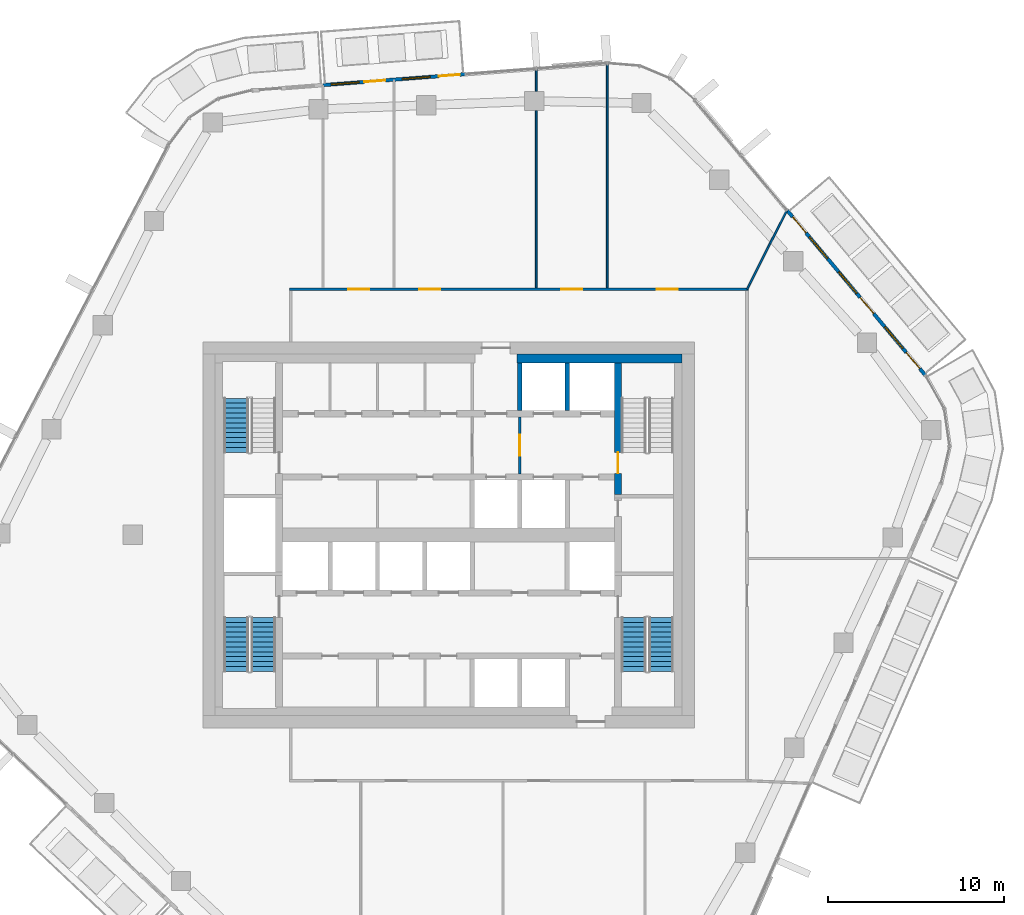
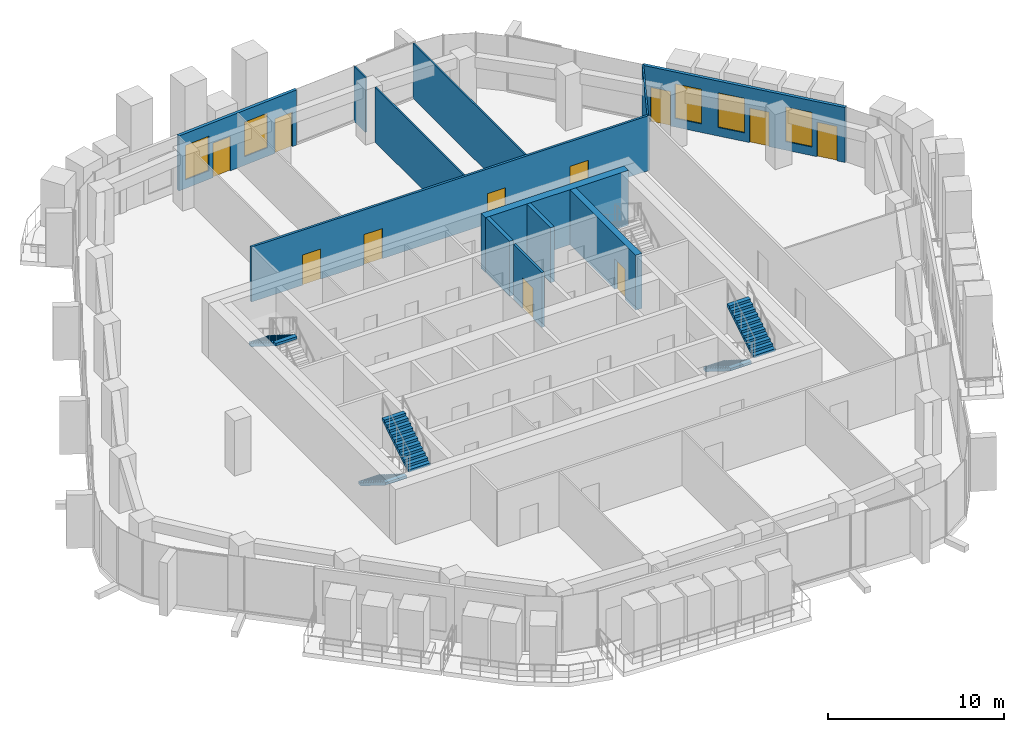
# One storey, part 13 of 20: 12 walls, 11 doors, 5 stair flights, 5 windows, 16 openings, 3 elements without a shape of their own.
"""IFC4 building model written with IfcOpenShell, lengths in metres."""

from ifc_helpers import new_model, si_unit, direction, frame, frame_2d, origin, place, context, subcontext, project, spatial, polyline, rectangle, outline, extrude, material, layer, layer_set, type_object, element, fill, aggregate, save


model = new_model("IFC4")

# Units and contexts
model_context = context("Model", 3, precision=1e-05, world=origin(), true_north=direction((0.0, 1.0)))
body_context = subcontext(model_context, "Body", "Model", "MODEL_VIEW")
ifc_project = project(units=[si_unit("LENGTHUNIT", "METRE"), si_unit("AREAUNIT", "SQUARE_METRE"), si_unit("VOLUMEUNIT", "CUBIC_METRE"), si_unit("PLANEANGLEUNIT", "RADIAN"), si_unit("MASSUNIT", "GRAM", prefix="KILO")], contexts=[model_context])

# Site, building, storey
site_placement = place(None, origin())
site = spatial("IfcSite", under=ifc_project, at=site_placement, CompositionType="ELEMENT")
building_placement = place(site_placement, origin())
building = spatial("IfcBuilding", under=site, at=building_placement, Name="Dongbaek Canopy Tower", CompositionType="ELEMENT")
storey_placement = place(building_placement, frame((0.0, 0.0, 249.60009765625)))
storey = spatial("IfcBuildingStorey", under=building, at=storey_placement, Name="L52", CompositionType="ELEMENT", Elevation=249.60009765625)

# Wall
ifc_material_1 = material(Name="Concrete C60/75", Category="concrete")
ifc_layer_1 = layer(ifc_material_1, 0.5)
ifc_layer_set_1 = layer_set([ifc_layer_1], Name="Core wall lining 500 Concrete C60/75")
wall_type_1 = type_object("IfcWallType", Name="Core wall lining 500 Concrete C60/75", PredefinedType="SHEAR", material=ifc_layer_set_1)
wall_1_placement = place(storey_placement, frame((3.89990234375, 10.050048828125, 0.0), z_axis=(0.0, 0.0, 1.0), x_axis=(1.0, 0.0, 0.0)))
element("IfcWall", 1, at=wall_1_placement, inside=storey, type_object=wall_type_1, Name="Core wall lining", PredefinedType="SHEAR", context=body_context, shape_type="SweptSolid", body=[
    extrude(rectangle(XDim=9.400146484375, YDim=0.5, at=frame_2d((4.7001953125, 0.0))), origin(), (0.0, 0.0, 1.0), 3.81982421875),
])

# Wall, openings, doors
ifc_material_2 = material(Name="Gypsum board partition, steel stud, 2 x 15 mm fire board", Category="steel")
ifc_layer_2 = layer(ifc_material_2, 0.14990234375)
ifc_layer_set_2 = layer_set([ifc_layer_2], Name="Fire-rated partition 150 gypsum board")
wall_type_2 = type_object("IfcWallType", Name="Fire-rated partition 150 gypsum board", PredefinedType="PARTITIONING", material=ifc_layer_set_2)
wall_2_placement = place(storey_placement, frame((-9.074951171875, 14.0, 0.0), z_axis=(0.0, 0.0, 1.0), x_axis=(1.0, 0.0, 0.0)))
wall_2 = element("IfcWall", 2, at=wall_2_placement, inside=storey, type_object=wall_type_2, Name="Corridor partition", PredefinedType="PARTITIONING", context=body_context, shape_type="SweptSolid", body=[
    extrude(rectangle(XDim=26.14990234375, YDim=0.14990234375, at=frame_2d((13.074951171875, 0.0))), origin(), (0.0, 0.0, 1.0), 3.81982421875),
])
opening_1_placement = place(wall_2_placement, frame((20.93408203125, 0.0, 0.0)))
opening_1 = element("IfcOpeningElement", 3, at=opening_1_placement, cuts=wall_2, Name="Opening L52-D007", PredefinedType="OPENING", context=body_context, shape_type="SweptSolid", body=[
    extrude(rectangle(XDim=1.199951171875, YDim=2.10009765625, at=frame_2d((0.60009765625, 1.050048828125))), frame((0.0, 0.0849609375, 0.0), z_axis=(0.0, -1.0, 0.0), x_axis=(1.0, 0.0, 0.0)), (0.0, 0.0, 1.0), 0.169921875),
])
opening_2_placement = place(wall_2_placement, frame((15.48974609375, 0.0, 0.0)))
opening_2 = element("IfcOpeningElement", 4, at=opening_2_placement, cuts=wall_2, Name="Opening L52-D008", PredefinedType="OPENING", context=body_context, shape_type="SweptSolid", body=[
    extrude(rectangle(XDim=1.199951171875, YDim=2.10009765625, at=frame_2d((0.60009765625, 1.050048828125))), frame((0.0, 0.0849609375, 0.0), z_axis=(0.0, -1.0, 0.0), x_axis=(1.0, 0.0, 0.0)), (0.0, 0.0, 1.0), 0.169921875),
])
opening_3_placement = place(wall_2_placement, frame((7.3955078125, 0.0, 0.0)))
opening_3 = element("IfcOpeningElement", 5, at=opening_3_placement, cuts=wall_2, Name="Opening L52-D009", PredefinedType="OPENING", context=body_context, shape_type="SweptSolid", body=[
    extrude(rectangle(XDim=1.199951171875, YDim=2.10009765625, at=frame_2d((0.60009765625, 1.050048828125))), frame((0.0, 0.0849609375, 0.0), z_axis=(0.0, -1.0, 0.0), x_axis=(1.0, 0.0, 0.0)), (0.0, 0.0, 1.0), 0.169921875),
])
opening_4_placement = place(wall_2_placement, frame((3.346435546875, 0.0, 0.0)))
opening_4 = element("IfcOpeningElement", 6, at=opening_4_placement, cuts=wall_2, Name="Opening L52-D010", PredefinedType="OPENING", context=body_context, shape_type="SweptSolid", body=[
    extrude(rectangle(XDim=1.199951171875, YDim=2.10009765625, at=frame_2d((0.60009765625, 1.050048828125))), frame((0.0, 0.0849609375, 0.0), z_axis=(0.0, -1.0, 0.0), x_axis=(1.0, 0.0, 0.0)), (0.0, 0.0, 1.0), 0.169921875),
])
ifc_material_3 = material(Name="Timber veneered door leaf", Category="wood")
door_type_1 = type_object("IfcDoorType", Name="Room door 1200 x 2100", OperationType="SINGLE_SWING_LEFT", PredefinedType="DOOR", material=ifc_material_3)
door_1_placement = place(opening_1_placement, origin())
door_1 = element("IfcDoor", 7, at=door_1_placement, inside=storey, type_object=door_type_1, Name="Door L52-D007", OperationType="SINGLE_SWING_RIGHT", OverallHeight=2.10009765625, OverallWidth=1.199951171875, PredefinedType="DOOR", context=body_context, shape_type="SweptSolid", body=[
    extrude(rectangle(XDim=1.199951171875, YDim=2.10009765625, at=frame_2d((0.60009765625, 1.050048828125))), frame((0.0, 0.02490234375, 0.0), z_axis=(0.0, -1.0, 0.0), x_axis=(1.0, 0.0, 0.0)), (0.0, 0.0, 1.0), 0.050048828125),
])
fill(opening_1, door_1)
door_2_placement = place(opening_2_placement, origin())
door_2 = element("IfcDoor", 8, at=door_2_placement, inside=storey, type_object=door_type_1, Name="Door L52-D008", OperationType="SINGLE_SWING_LEFT", OverallHeight=2.10009765625, OverallWidth=1.199951171875, PredefinedType="DOOR", context=body_context, shape_type="SweptSolid", body=[
    extrude(rectangle(XDim=1.199951171875, YDim=2.10009765625, at=frame_2d((0.60009765625, 1.050048828125))), frame((0.0, 0.02490234375, 0.0), z_axis=(0.0, -1.0, 0.0), x_axis=(1.0, 0.0, 0.0)), (0.0, 0.0, 1.0), 0.050048828125),
])
fill(opening_2, door_2)
door_3_placement = place(opening_3_placement, origin())
door_3 = element("IfcDoor", 9, at=door_3_placement, inside=storey, type_object=door_type_1, Name="Door L52-D009", OperationType="SINGLE_SWING_RIGHT", OverallHeight=2.10009765625, OverallWidth=1.199951171875, PredefinedType="DOOR", context=body_context, shape_type="SweptSolid", body=[
    extrude(rectangle(XDim=1.199951171875, YDim=2.10009765625, at=frame_2d((0.60009765625, 1.050048828125))), frame((0.0, 0.02490234375, 0.0), z_axis=(0.0, -1.0, 0.0), x_axis=(1.0, 0.0, 0.0)), (0.0, 0.0, 1.0), 0.050048828125),
])
fill(opening_3, door_3)
door_4_placement = place(opening_4_placement, origin())
door_4 = element("IfcDoor", 10, at=door_4_placement, inside=storey, type_object=door_type_1, Name="Door L52-D010", OperationType="SINGLE_SWING_LEFT", OverallHeight=2.10009765625, OverallWidth=1.199951171875, PredefinedType="DOOR", context=body_context, shape_type="SweptSolid", body=[
    extrude(rectangle(XDim=1.199951171875, YDim=2.10009765625, at=frame_2d((0.60009765625, 1.050048828125))), frame((0.0, 0.02490234375, 0.0), z_axis=(0.0, -1.0, 0.0), x_axis=(1.0, 0.0, 0.0)), (0.0, 0.0, 1.0), 0.050048828125),
])
fill(opening_4, door_4)

# Wall, opening, door
wall_3_placement = place(storey_placement, frame((4.050048828125, 6.72509765625, 0.0), z_axis=(0.0, 0.0, 1.0), x_axis=(0.0, -1.0, 0.0)))
wall_3 = element("IfcWall", 11, at=wall_3_placement, inside=storey, type_object=wall_type_2, Name="Fire lobby partition", PredefinedType="PARTITIONING", context=body_context, shape_type="SweptSolid", body=[
    extrude(rectangle(XDim=3.25, YDim=0.14990234375, at=frame_2d((1.625, 0.0))), origin(), (0.0, 0.0, 1.0), 3.81982421875),
])
opening_5_placement = place(wall_3_placement, frame((1.02490234375, 0.0, 0.0)))
opening_5 = element("IfcOpeningElement", 12, at=opening_5_placement, cuts=wall_3, Name="Opening L52-D041", PredefinedType="OPENING", context=body_context, shape_type="SweptSolid", body=[
    extrude(rectangle(XDim=1.199951171875, YDim=2.10009765625, at=frame_2d((0.60009765625, 1.050048828125))), frame((0.0, 0.0849609375, 0.0), z_axis=(0.0, -1.0, 0.0), x_axis=(1.0, 0.0, 0.0)), (0.0, 0.0, 1.0), 0.169921875),
])
ifc_material_4 = material(Name="Steel", Category="steel")
door_type_2 = type_object("IfcDoorType", Name="Fire lobby door 1200 x 2100", OperationType="SINGLE_SWING_LEFT", PredefinedType="DOOR", material=ifc_material_4)
door_5_placement = place(opening_5_placement, origin())
door_5 = element("IfcDoor", 13, at=door_5_placement, inside=storey, type_object=door_type_2, Name="Door L52-D041", OperationType="SINGLE_SWING_RIGHT", OverallHeight=2.10009765625, OverallWidth=1.199951171875, PredefinedType="DOOR", context=body_context, shape_type="SweptSolid", body=[
    extrude(rectangle(XDim=1.199951171875, YDim=2.10009765625, at=frame_2d((0.60009765625, 1.050048828125))), frame((0.0, 0.02490234375, 0.0), z_axis=(0.0, -1.0, 0.0), x_axis=(1.0, 0.0, 0.0)), (0.0, 0.0, 1.0), 0.050048828125),
])
fill(opening_5, door_5)

# Walls
ifc_material_5 = material(Name="Concrete C40/50", Category="concrete")
ifc_layer_3 = layer(ifc_material_5, 0.25)
ifc_layer_set_3 = layer_set([ifc_layer_3], Name="Lift shaft wall 250 Concrete C40/50")
wall_type_3 = type_object("IfcWallType", Name="Lift shaft wall 250 Concrete C40/50", PredefinedType="SOLIDWALL", material=ifc_layer_set_3)
for number, where, z_axis, x_axis, name in (
    (14, (6.75, 7.074951171875, 0.0), (0.0, 0.0, 1.0), (0.0, 1.0, 0.0), "Lift shaft wall"),
    (15, (4.050048828125, 7.074951171875, 0.0), (0.0, 0.0, 1.0), (0.0, 1.0, 0.0), "Lift shaft wall"),
):
    element("IfcWall", number, at=place(storey_placement, frame(where, z_axis=z_axis, x_axis=x_axis)), inside=storey, type_object=wall_type_3, Name=name, PredefinedType="SOLIDWALL", context=body_context, shape_type="SweptSolid", body=[
        extrude(rectangle(XDim=2.72509765625, YDim=0.25, at=frame_2d((1.362548828125, 0.0))), origin(), (0.0, 0.0, 1.0), 3.81982421875),
    ])
ifc_material_6 = material(Name="Gypsum board partition, steel stud, 2 x 12.5 mm board", Category="steel")
ifc_layer_4 = layer(ifc_material_6, 0.10009765625)
ifc_layer_set_4 = layer_set([ifc_layer_4], Name="Partition 100 gypsum board")
wall_type_4 = type_object("IfcWallType", Name="Partition 100 gypsum board", PredefinedType="PARTITIONING", material=ifc_layer_set_4)
wall_4_placement = place(storey_placement, frame((17.0, 14.0, 0.0), z_axis=(0.0, 0.0, 1.0), x_axis=(0.451643796449, 0.892198341811, 0.0)))
element("IfcWall", 16, at=wall_4_placement, inside=storey, type_object=wall_type_4, Name="Partition", PredefinedType="PARTITIONING", context=body_context, shape_type="SweptSolid", body=[
    extrude(rectangle(XDim=5.01953125, YDim=0.10009765625, at=frame_2d((2.509765625, 0.0))), origin(), (0.0, 0.0, 1.0), 3.81982421875),
])
wall_5_placement = place(storey_placement, frame((9.034912109375, 14.074951171875, 0.0), z_axis=(0.0, 0.0, 1.0), x_axis=(0.0, 1.0, 0.0)))
element("IfcWall", 17, at=wall_5_placement, inside=storey, type_object=wall_type_4, Name="Partition", PredefinedType="PARTITIONING", context=body_context, shape_type="SweptSolid", body=[
    extrude(rectangle(XDim=12.770751953125, YDim=0.10009765625, at=frame_2d((6.38525390625, 0.0))), origin(), (0.0, 0.0, 1.0), 3.81982421875),
])
wall_6_placement = place(storey_placement, frame((4.993896484375, 14.074951171875, 0.0), z_axis=(0.0, 0.0, 1.0), x_axis=(0.0, 1.0, 0.0)))
element("IfcWall", 18, at=wall_6_placement, inside=storey, type_object=wall_type_4, Name="Partition", PredefinedType="PARTITIONING", context=body_context, shape_type="SweptSolid", body=[
    extrude(rectangle(XDim=10.089111328125, YDim=0.10009765625, at=frame_2d((5.04443359375, 0.0))), origin(), (0.0, 0.0, 1.0), 3.81982421875),
])
wall_7_placement = place(storey_placement, frame((4.993896484375, 25.263916015625, 0.0), z_axis=(0.0, 0.0, 1.0), x_axis=(0.0, 1.0, 0.0)))
element("IfcWall", 19, at=wall_7_placement, inside=storey, type_object=wall_type_4, Name="Partition", PredefinedType="PARTITIONING", context=body_context, shape_type="SweptSolid", body=[
    extrude(rectangle(XDim=1.271728515625, YDim=0.10009765625, at=frame_2d((0.6357421875, 0.0))), origin(), (0.0, 0.0, 1.0), 3.81982421875),
])

# Wall, opening, door
ifc_material_7 = material(Name="Concrete C60/75", Category="concrete")
ifc_layer_5 = layer(ifc_material_7, 0.39990234375)
ifc_layer_set_5 = layer_set([ifc_layer_5], Name="Stair wall 400 Concrete C60/75")
wall_type_5 = type_object("IfcWallType", Name="Stair wall 400 Concrete C60/75", PredefinedType="SHEAR", material=ifc_layer_set_5)
wall_8_placement = place(storey_placement, frame((9.64990234375, 9.800048828125, 0.0), z_axis=(0.0, 0.0, 1.0), x_axis=(0.0, -1.0, 0.0)))
wall_8 = element("IfcWall", 20, at=wall_8_placement, inside=storey, type_object=wall_type_5, Name="Stair wall", PredefinedType="SHEAR", context=body_context, shape_type="SweptSolid", body=[
    extrude(rectangle(XDim=7.5, YDim=0.39990234375, at=frame_2d((3.75, 0.0))), origin(), (0.0, 0.0, 1.0), 3.81982421875),
])
opening_6_placement = place(wall_8_placement, frame((5.10009765625, 0.0, 0.0)))
opening_6 = element("IfcOpeningElement", 21, at=opening_6_placement, cuts=wall_8, Name="Opening L52-D036", PredefinedType="OPENING", context=body_context, shape_type="SweptSolid", body=[
    extrude(rectangle(XDim=1.199951171875, YDim=2.10009765625, at=frame_2d((0.60009765625, 1.050048828125))), frame((0.0, 0.2099609375, 0.0), z_axis=(0.0, -1.0, 0.0), x_axis=(1.0, 0.0, 0.0)), (0.0, 0.0, 1.0), 0.419921875),
])
ifc_material_8 = material(Name="Steel", Category="steel")
door_type_3 = type_object("IfcDoorType", Name="Stair door 1200 x 2100", OperationType="SINGLE_SWING_LEFT", PredefinedType="DOOR", material=ifc_material_8)
door_6_placement = place(opening_6_placement, origin())
door_6 = element("IfcDoor", 22, at=door_6_placement, inside=storey, type_object=door_type_3, Name="Stair A door", OperationType="SINGLE_SWING_LEFT", OverallHeight=2.10009765625, OverallWidth=1.199951171875, PredefinedType="DOOR", context=body_context, shape_type="SweptSolid", body=[
    extrude(rectangle(XDim=1.199951171875, YDim=2.10009765625, at=frame_2d((0.60009765625, 1.050048828125))), frame((0.0, 0.02490234375, 0.0), z_axis=(0.0, -1.0, 0.0), x_axis=(1.0, 0.0, 0.0)), (0.0, 0.0, 1.0), 0.050048828125),
])
fill(opening_6, door_6)

# Wall, openings, doors, windows
ifc_material_9 = material(Name="Aluminium window wall", Category="aluminium")
ifc_layer_6 = layer(ifc_material_9, 0.199951171875)
ifc_layer_set_6 = layer_set([ifc_layer_6], Name="Window wall 200")
wall_type_6 = type_object("IfcWallType", Name="Window wall 200", PredefinedType="SOLIDWALL", material=ifc_layer_set_6)
wall_9_placement = place(storey_placement, frame((27.162109375, 9.0908203125, 0.0), z_axis=(0.0, 0.0, 1.0), x_axis=(-0.642398297857, 0.766370946025, 0.0)))
wall_9 = element("IfcWall", 23, at=wall_9_placement, inside=storey, type_object=wall_type_6, Name="Window wall L52 1", PredefinedType="SOLIDWALL", context=body_context, shape_type="SweptSolid", body=[
    extrude(rectangle(XDim=12.274658203125, YDim=0.199951171875, at=frame_2d((6.13720703125, 0.0))), origin(), (0.0, 0.0, 1.0), 3.81982421875),
])
opening_7_placement = place(wall_9_placement, frame((2.0, 0.0, 0.60009765625)))
opening_7 = element("IfcOpeningElement", 24, at=opening_7_placement, cuts=wall_9, Name="Opening W1", PredefinedType="OPENING", context=body_context, shape_type="SweptSolid", body=[
    extrude(rectangle(XDim=1.60009765625, YDim=2.39990234375, at=frame_2d((0.800048828125, 1.199951171875))), frame((0.0, 0.10986328125, 0.0), z_axis=(0.0, -1.0, 0.0), x_axis=(1.0, 0.0, 0.0)), (0.0, 0.0, 1.0), 0.219970703125),
])
opening_8_placement = place(wall_9_placement, frame((0.5, 0.0, 0.0)))
opening_8 = element("IfcOpeningElement", 25, at=opening_8_placement, cuts=wall_9, Name="Opening L52-B01", PredefinedType="OPENING", context=body_context, shape_type="SweptSolid", body=[
    extrude(rectangle(XDim=1.199951171875, YDim=2.39990234375, at=frame_2d((0.60009765625, 1.199951171875))), frame((0.0, 0.10986328125, 0.0), z_axis=(0.0, -1.0, 0.0), x_axis=(1.0, 0.0, 0.0)), (0.0, 0.0, 1.0), 0.219970703125),
])
opening_9_placement = place(wall_9_placement, frame((6.091552734375, 0.0, 0.60009765625)))
opening_9 = element("IfcOpeningElement", 26, at=opening_9_placement, cuts=wall_9, Name="Opening W1", PredefinedType="OPENING", context=body_context, shape_type="SweptSolid", body=[
    extrude(rectangle(XDim=1.60009765625, YDim=2.39990234375, at=frame_2d((0.800048828125, 1.199951171875))), frame((0.0, 0.10986328125, 0.0), z_axis=(0.0, -1.0, 0.0), x_axis=(1.0, 0.0, 0.0)), (0.0, 0.0, 1.0), 0.219970703125),
])
opening_10_placement = place(wall_9_placement, frame((4.591552734375, 0.0, 0.0)))
opening_10 = element("IfcOpeningElement", 27, at=opening_10_placement, cuts=wall_9, Name="Opening L52-B02", PredefinedType="OPENING", context=body_context, shape_type="SweptSolid", body=[
    extrude(rectangle(XDim=1.199951171875, YDim=2.39990234375, at=frame_2d((0.60009765625, 1.199951171875))), frame((0.0, 0.10986328125, 0.0), z_axis=(0.0, -1.0, 0.0), x_axis=(1.0, 0.0, 0.0)), (0.0, 0.0, 1.0), 0.219970703125),
])
opening_11_placement = place(wall_9_placement, frame((8.68310546875, 0.0, 0.60009765625)))
opening_11 = element("IfcOpeningElement", 28, at=opening_11_placement, cuts=wall_9, Name="Opening W1", PredefinedType="OPENING", context=body_context, shape_type="SweptSolid", body=[
    extrude(rectangle(XDim=1.60009765625, YDim=2.39990234375, at=frame_2d((0.800048828125, 1.199951171875))), frame((0.0, 0.10986328125, 0.0), z_axis=(0.0, -1.0, 0.0), x_axis=(1.0, 0.0, 0.0)), (0.0, 0.0, 1.0), 0.219970703125),
])
opening_12_placement = place(wall_9_placement, frame((10.5830078125, 0.0, 0.0)))
opening_12 = element("IfcOpeningElement", 29, at=opening_12_placement, cuts=wall_9, Name="Opening L52-B03", PredefinedType="OPENING", context=body_context, shape_type="SweptSolid", body=[
    extrude(rectangle(XDim=1.199951171875, YDim=2.39990234375, at=frame_2d((0.60009765625, 1.199951171875))), frame((0.0, 0.10986328125, 0.0), z_axis=(0.0, -1.0, 0.0), x_axis=(1.0, 0.0, 0.0)), (0.0, 0.0, 1.0), 0.219970703125),
])
ifc_material_10 = material(Name="Clear glazing in aluminium frame", Category="aluminium")
door_type_4 = type_object("IfcDoorType", Name="Balcony door BD1 1200 x 2400", OperationType="SLIDING_TO_LEFT", PredefinedType="DOOR", material=ifc_material_10)
door_7_placement = place(opening_8_placement, origin())
door_7 = element("IfcDoor", 30, at=door_7_placement, inside=storey, type_object=door_type_4, Name="Balcony door L52-B01", OperationType="SLIDING_TO_LEFT", OverallHeight=2.39990234375, OverallWidth=1.199951171875, PredefinedType="DOOR", context=body_context, shape_type="SweptSolid", body=[
    extrude(rectangle(XDim=1.199951171875, YDim=2.39990234375, at=frame_2d((0.60009765625, 1.199951171875))), frame((0.0, 0.02490234375, 0.0), z_axis=(0.0, -1.0, 0.0), x_axis=(1.0, 0.0, 0.0)), (0.0, 0.0, 1.0), 0.050048828125),
])
fill(opening_8, door_7)
door_8_placement = place(opening_10_placement, origin())
door_8 = element("IfcDoor", 31, at=door_8_placement, inside=storey, type_object=door_type_4, Name="Balcony door L52-B02", OperationType="SLIDING_TO_LEFT", OverallHeight=2.39990234375, OverallWidth=1.199951171875, PredefinedType="DOOR", context=body_context, shape_type="SweptSolid", body=[
    extrude(rectangle(XDim=1.199951171875, YDim=2.39990234375, at=frame_2d((0.60009765625, 1.199951171875))), frame((0.0, 0.02490234375, 0.0), z_axis=(0.0, -1.0, 0.0), x_axis=(1.0, 0.0, 0.0)), (0.0, 0.0, 1.0), 0.050048828125),
])
fill(opening_10, door_8)
door_9_placement = place(opening_12_placement, origin())
door_9 = element("IfcDoor", 32, at=door_9_placement, inside=storey, type_object=door_type_4, Name="Balcony door L52-B03", OperationType="SLIDING_TO_LEFT", OverallHeight=2.39990234375, OverallWidth=1.199951171875, PredefinedType="DOOR", context=body_context, shape_type="SweptSolid", body=[
    extrude(rectangle(XDim=1.199951171875, YDim=2.39990234375, at=frame_2d((0.60009765625, 1.199951171875))), frame((0.0, 0.02490234375, 0.0), z_axis=(0.0, -1.0, 0.0), x_axis=(1.0, 0.0, 0.0)), (0.0, 0.0, 1.0), 0.050048828125),
])
fill(opening_12, door_9)
ifc_material_11 = material(Name="Clear glazing in aluminium frame", Category="aluminium")
window_type = type_object("IfcWindowType", Name="Window W1 1600 x 2400", PartitioningType="SINGLE_PANEL", PredefinedType="WINDOW", material=ifc_material_11)
window_1_placement = place(opening_7_placement, origin())
window_1 = element("IfcWindow", 33, at=window_1_placement, inside=storey, type_object=window_type, Name="Window L52 1.1", OverallHeight=2.39990234375, OverallWidth=1.60009765625, PartitioningType="SINGLE_PANEL", PredefinedType="WINDOW", context=body_context, shape_type="SweptSolid", body=[
    extrude(rectangle(XDim=1.60009765625, YDim=2.39990234375, at=frame_2d((0.800048828125, 1.199951171875))), frame((0.0, 0.030029296875, 0.0), z_axis=(0.0, -1.0, 0.0), x_axis=(1.0, 0.0, 0.0)), (0.0, 0.0, 1.0), 0.06005859375),
])
fill(opening_7, window_1)
window_2_placement = place(opening_9_placement, origin())
window_2 = element("IfcWindow", 34, at=window_2_placement, inside=storey, type_object=window_type, Name="Window L52 1.2", OverallHeight=2.39990234375, OverallWidth=1.60009765625, PartitioningType="SINGLE_PANEL", PredefinedType="WINDOW", context=body_context, shape_type="SweptSolid", body=[
    extrude(rectangle(XDim=1.60009765625, YDim=2.39990234375, at=frame_2d((0.800048828125, 1.199951171875))), frame((0.0, 0.030029296875, 0.0), z_axis=(0.0, -1.0, 0.0), x_axis=(1.0, 0.0, 0.0)), (0.0, 0.0, 1.0), 0.06005859375),
])
fill(opening_9, window_2)
window_3_placement = place(opening_11_placement, origin())
window_3 = element("IfcWindow", 35, at=window_3_placement, inside=storey, type_object=window_type, Name="Window L52 1.3", OverallHeight=2.39990234375, OverallWidth=1.60009765625, PartitioningType="SINGLE_PANEL", PredefinedType="WINDOW", context=body_context, shape_type="SweptSolid", body=[
    extrude(rectangle(XDim=1.60009765625, YDim=2.39990234375, at=frame_2d((0.800048828125, 1.199951171875))), frame((0.0, 0.030029296875, 0.0), z_axis=(0.0, -1.0, 0.0), x_axis=(1.0, 0.0, 0.0)), (0.0, 0.0, 1.0), 0.06005859375),
])
fill(opening_11, window_3)

wall_10_placement = place(storey_placement, frame((0.945068359375, 26.244873046875, 0.0), z_axis=(0.0, 0.0, 1.0), x_axis=(-0.997069496045, -0.076501111469, 0.0)))
wall_10 = element("IfcWall", 36, at=wall_10_placement, inside=storey, type_object=wall_type_6, Name="Window wall L52 2", PredefinedType="SOLIDWALL", context=body_context, shape_type="SweptSolid", body=[
    extrude(rectangle(XDim=8.121826171875, YDim=0.199951171875, at=frame_2d((4.06103515625, 0.0))), origin(), (0.0, 0.0, 1.0), 3.81982421875),
])
opening_13_placement = place(wall_10_placement, frame((2.0, 0.0, 0.60009765625)))
opening_13 = element("IfcOpeningElement", 37, at=opening_13_placement, cuts=wall_10, Name="Opening W1", PredefinedType="OPENING", context=body_context, shape_type="SweptSolid", body=[
    extrude(rectangle(XDim=1.60009765625, YDim=2.39990234375, at=frame_2d((0.800048828125, 1.199951171875))), frame((0.0, 0.10986328125, 0.0), z_axis=(0.0, -1.0, 0.0), x_axis=(1.0, 0.0, 0.0)), (0.0, 0.0, 1.0), 0.219970703125),
])
opening_14_placement = place(wall_10_placement, frame((0.300048828125, 0.0, 0.0)))
opening_14 = element("IfcOpeningElement", 38, at=opening_14_placement, cuts=wall_10, Name="Opening L52-B04", PredefinedType="OPENING", context=body_context, shape_type="SweptSolid", body=[
    extrude(rectangle(XDim=1.199951171875, YDim=2.39990234375, at=frame_2d((0.60009765625, 1.199951171875))), frame((0.0, 0.10986328125, 0.0), z_axis=(0.0, -1.0, 0.0), x_axis=(1.0, 0.0, 0.0)), (0.0, 0.0, 1.0), 0.219970703125),
])
opening_15_placement = place(wall_10_placement, frame((6.06103515625, 0.0, 0.60009765625)))
opening_15 = element("IfcOpeningElement", 39, at=opening_15_placement, cuts=wall_10, Name="Opening W1", PredefinedType="OPENING", context=body_context, shape_type="SweptSolid", body=[
    extrude(rectangle(XDim=1.60009765625, YDim=2.39990234375, at=frame_2d((0.800048828125, 1.199951171875))), frame((0.0, 0.10986328125, 0.0), z_axis=(0.0, -1.0, 0.0), x_axis=(1.0, 0.0, 0.0)), (0.0, 0.0, 1.0), 0.219970703125),
])
opening_16_placement = place(wall_10_placement, frame((4.56103515625, 0.0, 0.0)))
opening_16 = element("IfcOpeningElement", 40, at=opening_16_placement, cuts=wall_10, Name="Opening L52-B05", PredefinedType="OPENING", context=body_context, shape_type="SweptSolid", body=[
    extrude(rectangle(XDim=1.199951171875, YDim=2.39990234375, at=frame_2d((0.60009765625, 1.199951171875))), frame((0.0, 0.10986328125, 0.0), z_axis=(0.0, -1.0, 0.0), x_axis=(1.0, 0.0, 0.0)), (0.0, 0.0, 1.0), 0.219970703125),
])
door_10_placement = place(opening_14_placement, origin())
door_10 = element("IfcDoor", 41, at=door_10_placement, inside=storey, type_object=door_type_4, Name="Balcony door L52-B04", OperationType="SLIDING_TO_LEFT", OverallHeight=2.39990234375, OverallWidth=1.199951171875, PredefinedType="DOOR", context=body_context, shape_type="SweptSolid", body=[
    extrude(rectangle(XDim=1.199951171875, YDim=2.39990234375, at=frame_2d((0.60009765625, 1.199951171875))), frame((0.0, 0.02490234375, 0.0), z_axis=(0.0, -1.0, 0.0), x_axis=(1.0, 0.0, 0.0)), (0.0, 0.0, 1.0), 0.050048828125),
])
fill(opening_14, door_10)
door_11_placement = place(opening_16_placement, origin())
door_11 = element("IfcDoor", 42, at=door_11_placement, inside=storey, type_object=door_type_4, Name="Balcony door L52-B05", OperationType="SLIDING_TO_LEFT", OverallHeight=2.39990234375, OverallWidth=1.199951171875, PredefinedType="DOOR", context=body_context, shape_type="SweptSolid", body=[
    extrude(rectangle(XDim=1.199951171875, YDim=2.39990234375, at=frame_2d((0.60009765625, 1.199951171875))), frame((0.0, 0.02490234375, 0.0), z_axis=(0.0, -1.0, 0.0), x_axis=(1.0, 0.0, 0.0)), (0.0, 0.0, 1.0), 0.050048828125),
])
fill(opening_16, door_11)
window_4_placement = place(opening_13_placement, origin())
window_4 = element("IfcWindow", 43, at=window_4_placement, inside=storey, type_object=window_type, Name="Window L52 2.1", OverallHeight=2.39990234375, OverallWidth=1.60009765625, PartitioningType="SINGLE_PANEL", PredefinedType="WINDOW", context=body_context, shape_type="SweptSolid", body=[
    extrude(rectangle(XDim=1.60009765625, YDim=2.39990234375, at=frame_2d((0.800048828125, 1.199951171875))), frame((0.0, 0.030029296875, 0.0), z_axis=(0.0, -1.0, 0.0), x_axis=(1.0, 0.0, 0.0)), (0.0, 0.0, 1.0), 0.06005859375),
])
fill(opening_13, window_4)
window_5_placement = place(opening_15_placement, origin())
window_5 = element("IfcWindow", 44, at=window_5_placement, inside=storey, type_object=window_type, Name="Window L52 2.2", OverallHeight=2.39990234375, OverallWidth=1.60009765625, PartitioningType="SINGLE_PANEL", PredefinedType="WINDOW", context=body_context, shape_type="SweptSolid", body=[
    extrude(rectangle(XDim=1.60009765625, YDim=2.39990234375, at=frame_2d((0.800048828125, 1.199951171875))), frame((0.0, 0.030029296875, 0.0), z_axis=(0.0, -1.0, 0.0), x_axis=(1.0, 0.0, 0.0)), (0.0, 0.0, 1.0), 0.06005859375),
])
fill(opening_15, window_5)

# Stair, stair flight
ifc_material_12 = material(Name="Concrete C40/50", Category="concrete")
stair_type = type_object("IfcStairType", Name="Core exit stair", PredefinedType="HALF_TURN_STAIR", material=ifc_material_12)
stair_1_placement = place(storey_placement, origin())
stair_1 = element("IfcStair", 45, at=stair_1_placement, inside=storey, type_object=stair_type, Name="L52 exit stair C", PredefinedType="HALF_TURN_STAIR")
ifc_material_13 = material(Name="Concrete C40/50", Category="concrete")
ifc_layer_7 = layer(ifc_material_13, 0.14990234375)
ifc_layer_set_7 = layer_set([ifc_layer_7], Name="Core stair flight 150 waist")
stair_flight_type = type_object("IfcStairFlightType", Name="Core stair flight 150 waist", PredefinedType="STRAIGHT", material=ifc_layer_set_7)
stair_flight_1_placement = place(storey_placement, frame((-12.10009765625, 7.780029296875, 2.099853515625), z_axis=(0.0, 0.0, 1.0), x_axis=(0.0, -1.0, 0.0)))
stair_flight_1 = element("IfcStairFlight", 46, at=stair_flight_1_placement, type_object=stair_flight_type, Name="ST-C flight 2", NumberOfRisers=12, NumberOfTreads=11, PredefinedType="STRAIGHT", RiserHeight=0.175, TreadLength=0.28, context=body_context, shape_type="SweptSolid", body=[
    extrude(outline(polyline([(0.0, 0.0), (0.0, 0.175048828125), (0.280029296875, 0.175048828125), (0.280029296875, 0.35009765625), (0.56005859375, 0.35009765625), (0.56005859375, 0.52490234375), (0.840087890625, 0.52490234375), (0.840087890625, 0.699951171875), (1.1201171875, 0.699951171875), (1.1201171875, 0.875), (1.39990234375, 0.875), (1.39990234375, 1.050048828125), (1.679931640625, 1.050048828125), (1.679931640625, 1.22509765625), (1.9599609375, 1.22509765625), (1.9599609375, 1.39990234375), (2.239990234375, 1.39990234375), (2.239990234375, 1.574951171875), (2.52001953125, 1.574951171875), (2.52001953125, 1.75), (2.800048828125, 1.75), (2.800048828125, 1.925048828125), (3.080078125, 1.925048828125), (3.080078125, 2.10009765625), (3.080078125, 1.748291015625), (0.28271484375, 0.0), (0.0, 0.0)])), frame((0.0, 0.699951171875, 0.0), z_axis=(0.0, -1.0, 0.0), x_axis=(1.0, 0.0, 0.0)), (0.0, 0.0, 1.0), 1.39990234375),
])
aggregate(stair_1, [stair_flight_1])

# Stair, stair flights
stair_2_placement = place(storey_placement, origin())
stair_2 = element("IfcStair", 47, at=stair_2_placement, inside=storey, type_object=stair_type, Name="L52 exit stair B", PredefinedType="HALF_TURN_STAIR")
stair_flight_2_placement = place(storey_placement, frame((10.550048828125, -4.699951171875, 0.0), z_axis=(0.0, 0.0, 1.0), x_axis=(0.0, -1.0, 0.0)))
stair_flight_2 = element("IfcStairFlight", 48, at=stair_flight_2_placement, type_object=stair_flight_type, Name="ST-B flight 1", NumberOfRisers=12, NumberOfTreads=11, PredefinedType="STRAIGHT", RiserHeight=0.175, TreadLength=0.28, context=body_context, shape_type="SweptSolid", body=[
    extrude(outline(polyline([(0.0, 0.0), (0.0, 0.175048828125), (0.280029296875, 0.175048828125), (0.280029296875, 0.35009765625), (0.56005859375, 0.35009765625), (0.56005859375, 0.52490234375), (0.840087890625, 0.52490234375), (0.840087890625, 0.699951171875), (1.1201171875, 0.699951171875), (1.1201171875, 0.875), (1.39990234375, 0.875), (1.39990234375, 1.050048828125), (1.679931640625, 1.050048828125), (1.679931640625, 1.22509765625), (1.9599609375, 1.22509765625), (1.9599609375, 1.39990234375), (2.239990234375, 1.39990234375), (2.239990234375, 1.574951171875), (2.52001953125, 1.574951171875), (2.52001953125, 1.75), (2.800048828125, 1.75), (2.800048828125, 1.925048828125), (3.080078125, 1.925048828125), (3.080078125, 2.10009765625), (3.080078125, 1.748291015625), (0.28271484375, 0.0), (0.0, 0.0)])), frame((0.0, 0.699951171875, 0.0), z_axis=(0.0, -1.0, 0.0), x_axis=(1.0, 0.0, 0.0)), (0.0, 0.0, 1.0), 1.39990234375),
])
stair_flight_3_placement = place(storey_placement, frame((12.10009765625, -7.780029296875, 2.099853515625), z_axis=(0.0, 0.0, 1.0), x_axis=(0.0, 1.0, 0.0)))
stair_flight_3 = element("IfcStairFlight", 49, at=stair_flight_3_placement, type_object=stair_flight_type, Name="ST-B flight 2", NumberOfRisers=12, NumberOfTreads=11, PredefinedType="STRAIGHT", RiserHeight=0.175, TreadLength=0.28, context=body_context, shape_type="SweptSolid", body=[
    extrude(outline(polyline([(0.0, 0.0), (0.0, 0.175048828125), (0.280029296875, 0.175048828125), (0.280029296875, 0.35009765625), (0.56005859375, 0.35009765625), (0.56005859375, 0.52490234375), (0.840087890625, 0.52490234375), (0.840087890625, 0.699951171875), (1.1201171875, 0.699951171875), (1.1201171875, 0.875), (1.39990234375, 0.875), (1.39990234375, 1.050048828125), (1.679931640625, 1.050048828125), (1.679931640625, 1.22509765625), (1.9599609375, 1.22509765625), (1.9599609375, 1.39990234375), (2.239990234375, 1.39990234375), (2.239990234375, 1.574951171875), (2.52001953125, 1.574951171875), (2.52001953125, 1.75), (2.800048828125, 1.75), (2.800048828125, 1.925048828125), (3.080078125, 1.925048828125), (3.080078125, 2.10009765625), (3.080078125, 1.748291015625), (0.28271484375, 0.0), (0.0, 0.0)])), frame((0.0, 0.699951171875, 0.0), z_axis=(0.0, -1.0, 0.0), x_axis=(1.0, 0.0, 0.0)), (0.0, 0.0, 1.0), 1.39990234375),
])
aggregate(stair_2, [stair_flight_2, stair_flight_3])

stair_3_placement = place(storey_placement, origin())
stair_3 = element("IfcStair", 50, at=stair_3_placement, inside=storey, type_object=stair_type, Name="L52 exit stair D", PredefinedType="HALF_TURN_STAIR")
stair_flight_4_placement = place(storey_placement, frame((-12.10009765625, -4.699951171875, 0.0), z_axis=(0.0, 0.0, 1.0), x_axis=(0.0, -1.0, 0.0)))
stair_flight_4 = element("IfcStairFlight", 51, at=stair_flight_4_placement, type_object=stair_flight_type, Name="ST-D flight 1", NumberOfRisers=12, NumberOfTreads=11, PredefinedType="STRAIGHT", RiserHeight=0.175, TreadLength=0.28, context=body_context, shape_type="SweptSolid", body=[
    extrude(outline(polyline([(0.0, 0.0), (0.0, 0.175048828125), (0.280029296875, 0.175048828125), (0.280029296875, 0.35009765625), (0.56005859375, 0.35009765625), (0.56005859375, 0.52490234375), (0.840087890625, 0.52490234375), (0.840087890625, 0.699951171875), (1.1201171875, 0.699951171875), (1.1201171875, 0.875), (1.39990234375, 0.875), (1.39990234375, 1.050048828125), (1.679931640625, 1.050048828125), (1.679931640625, 1.22509765625), (1.9599609375, 1.22509765625), (1.9599609375, 1.39990234375), (2.239990234375, 1.39990234375), (2.239990234375, 1.574951171875), (2.52001953125, 1.574951171875), (2.52001953125, 1.75), (2.800048828125, 1.75), (2.800048828125, 1.925048828125), (3.080078125, 1.925048828125), (3.080078125, 2.10009765625), (3.080078125, 1.748291015625), (0.28271484375, 0.0), (0.0, 0.0)])), frame((0.0, 0.699951171875, 0.0), z_axis=(0.0, -1.0, 0.0), x_axis=(1.0, 0.0, 0.0)), (0.0, 0.0, 1.0), 1.39990234375),
])
stair_flight_5_placement = place(storey_placement, frame((-10.550048828125, -7.780029296875, 2.099853515625), z_axis=(0.0, 0.0, 1.0), x_axis=(0.0, 1.0, 0.0)))
stair_flight_5 = element("IfcStairFlight", 52, at=stair_flight_5_placement, type_object=stair_flight_type, Name="ST-D flight 2", NumberOfRisers=12, NumberOfTreads=11, PredefinedType="STRAIGHT", RiserHeight=0.175, TreadLength=0.28, context=body_context, shape_type="SweptSolid", body=[
    extrude(outline(polyline([(0.0, 0.0), (0.0, 0.175048828125), (0.280029296875, 0.175048828125), (0.280029296875, 0.35009765625), (0.56005859375, 0.35009765625), (0.56005859375, 0.52490234375), (0.840087890625, 0.52490234375), (0.840087890625, 0.699951171875), (1.1201171875, 0.699951171875), (1.1201171875, 0.875), (1.39990234375, 0.875), (1.39990234375, 1.050048828125), (1.679931640625, 1.050048828125), (1.679931640625, 1.22509765625), (1.9599609375, 1.22509765625), (1.9599609375, 1.39990234375), (2.239990234375, 1.39990234375), (2.239990234375, 1.574951171875), (2.52001953125, 1.574951171875), (2.52001953125, 1.75), (2.800048828125, 1.75), (2.800048828125, 1.925048828125), (3.080078125, 1.925048828125), (3.080078125, 2.10009765625), (3.080078125, 1.748291015625), (0.28271484375, 0.0), (0.0, 0.0)])), frame((0.0, 0.699951171875, 0.0), z_axis=(0.0, -1.0, 0.0), x_axis=(1.0, 0.0, 0.0)), (0.0, 0.0, 1.0), 1.39990234375),
])
aggregate(stair_3, [stair_flight_4, stair_flight_5])

save(model, "model.ifc")
